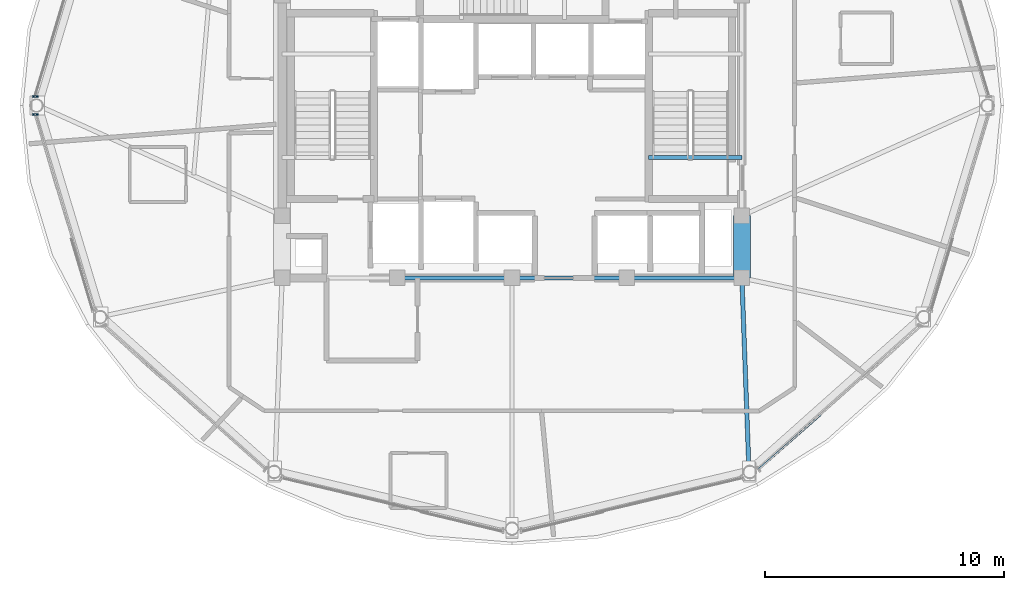
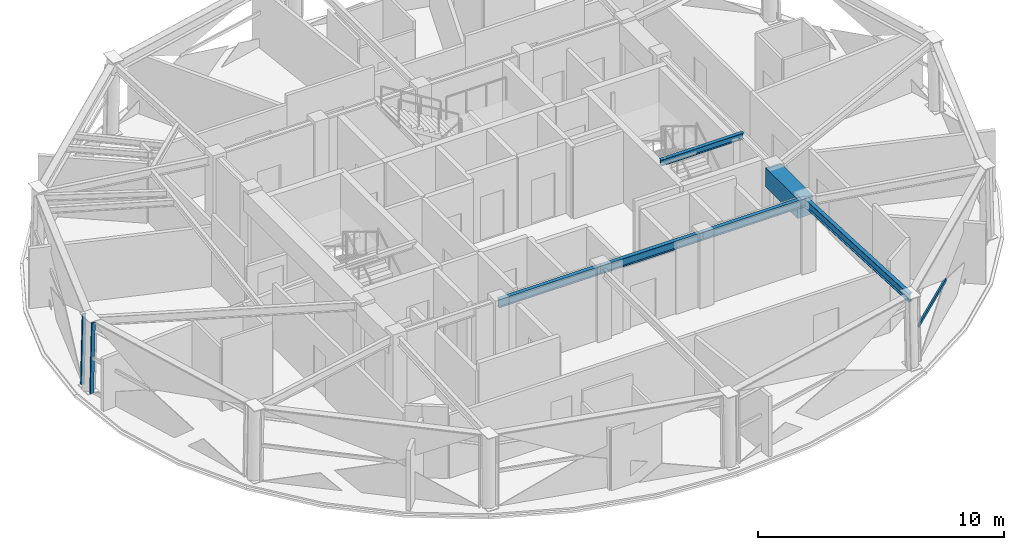
# One storey, part 3 of 15: 6 beams, 3 members, 3 elements without a shape of their own.
"""IFC4 building model written with IfcOpenShell, lengths in metres."""

from ifc_helpers import new_model, si_unit, direction, frame, origin, origin_2d, place, context, subcontext, project, spatial, rectangle, hollow_rectangle, i_section, extrude, material, layer, layer_set, material_profile, profile_set, type_object, element, aggregate, save


model = new_model("IFC4")

# Units and contexts
model_context = context("Model", 3, precision=1e-05, world=origin(), true_north=direction((0.0, 1.0)))
body_context = subcontext(model_context, "Body", "Model", "MODEL_VIEW")
ifc_project = project(units=[si_unit("LENGTHUNIT", "METRE"), si_unit("AREAUNIT", "SQUARE_METRE"), si_unit("VOLUMEUNIT", "CUBIC_METRE"), si_unit("PLANEANGLEUNIT", "RADIAN"), si_unit("MASSUNIT", "GRAM", prefix="KILO")], contexts=[model_context])

# Site, building, storey
site_placement = place(None, origin())
site = spatial("IfcSite", under=ifc_project, at=site_placement, CompositionType="ELEMENT")
building_placement = place(site_placement, origin())
building = spatial("IfcBuilding", under=site, at=building_placement, Name="Vantalir Tower", CompositionType="ELEMENT")
storey_placement = place(building_placement, frame((0.0, 0.0, 263.85009765625)))
storey = spatial("IfcBuildingStorey", under=building, at=storey_placement, Name="L66", CompositionType="ELEMENT", Elevation=263.85009765625)

# Beams
ifc_material_1 = material(Name="Concrete C60/75", Category="concrete")
ifc_material_profile_1 = material_profile(ifc_material_1, rectangle(XDim=0.699951171875, YDim=0.949951171875, at=origin_2d()), Name="Concrete C60/75")
ifc_profile_set_1 = profile_set([ifc_material_profile_1], Name="Concrete C60/75")
beam_type_1 = type_object("IfcBeamType", Name="BM-CB-700x950", PredefinedType="USERDEFINED", material=ifc_profile_set_1)
beam_1_placement = place(storey_placement, frame((41.10009765625, 17.800048828125, 3.094970703125), z_axis=(0.0, 1.0, 0.0), x_axis=(-1.0, 0.0, 0.0)))
element("IfcBeam", 1, at=beam_1_placement, inside=storey, type_object=beam_type_1, Name="L66 Core Coupling Girder 05", ObjectType="GIRDER", PredefinedType="USERDEFINED", context=body_context, shape_type="SweptSolid", body=[
    extrude(rectangle(XDim=0.699951171875, YDim=0.949951171875, at=origin_2d()), origin(), (0.0, 0.0, 1.0), 2.599853515625),
])
ifc_material_2 = material(Name="Steel S355", Category="steel")
ifc_material_profile_2 = material_profile(ifc_material_2, i_section(OverallWidth=0.166015625, OverallDepth=0.306884765625, WebThickness=0.006591796875, FlangeThickness=0.01171875, at=origin_2d()), Name="Steel S355")
ifc_profile_set_2 = profile_set([ifc_material_profile_2], Name="Steel S355")
beam_type_2 = type_object("IfcBeamType", Name="BM-JS-305x165", PredefinedType="JOIST", material=ifc_profile_set_2)
beam_2_placement = place(storey_placement, frame((37.2099609375, 22.8349609375, 3.595947265625), z_axis=(1.0, 0.0, 0.0), x_axis=(0.0, 1.0, 0.0)))
element("IfcBeam", 2, at=beam_2_placement, inside=storey, type_object=beam_type_2, Name="L67 Stair ST2 Well Nosing Trimmer Beam", PredefinedType="JOIST", context=body_context, shape_type="SweptSolid", body=[
    extrude(i_section(OverallWidth=0.166015625, OverallDepth=0.306884765625, WebThickness=0.006591796875, FlangeThickness=0.01171875, at=origin_2d()), origin(), (0.0, 0.0, 1.0), 3.89013671875),
])
ifc_material_profile_3 = material_profile(ifc_material_2, i_section(OverallWidth=0.179931640625, OverallDepth=0.4130859375, WebThickness=0.009521484375, FlangeThickness=0.01611328125, at=origin_2d()), Name="Steel S355")
ifc_profile_set_3 = profile_set([ifc_material_profile_3], Name="Steel S355")
beam_type_3 = type_object("IfcBeamType", Name="BM-RB-406x178", PredefinedType="BEAM", material=ifc_profile_set_3)
for number, where, z_axis, x_axis, name in (
    (3, (26.699951171875, 17.800048828125, 3.364013671875), (1.0, 0.0, 0.0), (0.0, 1.0, 0.0), "L66 Core Coupling Girder 02"),
    (4, (31.5, 17.800048828125, 3.364013671875), (1.0, 0.0, 0.0), (0.0, 1.0, 0.0), "L66 Core Coupling Girder 03"),
    (5, (36.300048828125, 17.800048828125, 3.364013671875), (1.0, 0.0, 0.0), (0.0, 1.0, 0.0), "L66 Core Coupling Girder 04"),
):
    element("IfcBeam", number, at=place(storey_placement, frame(where, z_axis=z_axis, x_axis=x_axis)), inside=storey, type_object=beam_type_3, Name=name, PredefinedType="BEAM", context=body_context, shape_type="SweptSolid", body=[
        extrude(i_section(OverallWidth=0.179931640625, OverallDepth=0.4130859375, WebThickness=0.009521484375, FlangeThickness=0.01611328125, at=origin_2d()), origin(), (0.0, 0.0, 1.0), 4.800048828125),
    ])
beam_3_placement = place(storey_placement, frame((41.39501953125, 9.748046875, 3.364013671875), z_axis=(-0.036602605117, 0.999329900132, 0.0), x_axis=(-0.999329900132, -0.036602605117, 0.0)))
element("IfcBeam", 6, at=beam_3_placement, inside=storey, type_object=beam_type_3, Name="L66 Radial Floor Beam 11", PredefinedType="BEAM", context=body_context, shape_type="SweptSolid", body=[
    extrude(i_section(OverallWidth=0.179931640625, OverallDepth=0.4130859375, WebThickness=0.009521484375, FlangeThickness=0.01611328125, at=origin_2d()), origin(), (0.0, 0.0, 1.0), 8.057373046875),
])

# Curtain wall, member
ifc_material_3 = material(Name="Champagne-silver PVDF aluminium and double-silver Low-E glass", Category="aluminium")
ifc_layer = layer(ifc_material_3, 0.219970703125)
ifc_layer_set = layer_set([ifc_layer], Name="Champagne-silver PVDF aluminium and double-silver Low-E glass")
curtain_wall_type = type_object("IfcCurtainWallType", Name="CW-DIAMOND-Z4", PredefinedType="USERDEFINED", material=ifc_layer_set)
curtain_wall_1_placement = place(storey_placement, origin())
curtain_wall_1 = element("IfcCurtainWall", 7, at=curtain_wall_1_placement, inside=storey, type_object=curtain_wall_type, Name="L66 Quilted Pyramid-Diamond Curtain Wall S06", ObjectType="UNITISED CURTAIN WALL", PredefinedType="USERDEFINED")
ifc_material_4 = material(Name="Champagne-silver PVDF aluminium 6063-T6", Category="aluminium")
ifc_material_profile_4 = material_profile(ifc_material_4, hollow_rectangle(XDim=0.070068359375, YDim=0.1650390625, WallThickness=0.00390625, at=origin_2d()), Name="Champagne-silver PVDF aluminium 6063-T6")
ifc_profile_set_4 = profile_set([ifc_material_profile_4], Name="Champagne-silver PVDF aluminium 6063-T6")
member_type_1 = type_object("IfcMemberType", Name="CWM-165x70", PredefinedType="MULLION", material=ifc_profile_set_4)
member_1_placement = place(storey_placement, frame((11.552001953125, 25.373046875, 0.044921875), z_axis=(0.023004994726, 0.0, 0.999735350089), x_axis=(0.0, 1.0, 0.0)))
member_1 = element("IfcMember", 8, at=member_1_placement, type_object=member_type_1, Name="CW-L66-S06 Mullion 2", PredefinedType="MULLION", context=body_context, shape_type="SweptSolid", body=[
    extrude(hollow_rectangle(XDim=0.070068359375, YDim=0.1650390625, WallThickness=0.00390625, at=origin_2d()), origin(), (0.0, 0.0, 1.0), 3.48095703125),
])
aggregate(curtain_wall_1, [member_1])

curtain_wall_2_placement = place(storey_placement, origin())
curtain_wall_2 = element("IfcCurtainWall", 9, at=curtain_wall_2_placement, inside=storey, type_object=curtain_wall_type, Name="L66 Quilted Pyramid-Diamond Curtain Wall S07", ObjectType="UNITISED CURTAIN WALL", PredefinedType="USERDEFINED")
member_2_placement = place(storey_placement, frame((11.552001953125, 24.626953125, 0.044921875), z_axis=(0.023004994726, 0.0, 0.999735350089), x_axis=(0.0, 1.0, 0.0)))
member_2 = element("IfcMember", 10, at=member_2_placement, type_object=member_type_1, Name="CW-L66-S07 Mullion 1", PredefinedType="MULLION", context=body_context, shape_type="SweptSolid", body=[
    extrude(hollow_rectangle(XDim=0.070068359375, YDim=0.1650390625, WallThickness=0.00390625, at=origin_2d()), origin(), (0.0, 0.0, 1.0), 3.48095703125),
])
aggregate(curtain_wall_2, [member_2])

curtain_wall_3_placement = place(storey_placement, origin())
curtain_wall_3 = element("IfcCurtainWall", 11, at=curtain_wall_3_placement, inside=storey, type_object=curtain_wall_type, Name="L66 Quilted Pyramid-Diamond Curtain Wall S11", ObjectType="UNITISED CURTAIN WALL", PredefinedType="USERDEFINED")
ifc_material_profile_5 = material_profile(ifc_material_4, hollow_rectangle(XDim=0.074951171875, YDim=0.159912109375, WallThickness=0.00390625, at=origin_2d()), Name="Champagne-silver PVDF aluminium 6063-T6")
ifc_profile_set_5 = profile_set([ifc_material_profile_5], Name="Champagne-silver PVDF aluminium 6063-T6")
member_type_2 = type_object("IfcMemberType", Name="CWT-160x75", PredefinedType="USERDEFINED", material=ifc_profile_set_5)
member_3_placement = place(storey_placement, frame((41.801025390625, 9.81201171875, 1.784912109375), z_axis=(0.751201212065, 0.660073283047, 0.0), x_axis=(-0.660073283047, 0.751201212065, 0.0)))
member_3 = element("IfcMember", 12, at=member_3_placement, type_object=member_type_2, Name="CW-L66-S11 Pyramid Fold Ridge Transom", ObjectType="TRANSOM", PredefinedType="USERDEFINED", context=body_context, shape_type="SweptSolid", body=[
    extrude(hollow_rectangle(XDim=0.074951171875, YDim=0.159912109375, WallThickness=0.00390625, at=origin_2d()), origin(), (0.0, 0.0, 1.0), 3.4345703125),
])
aggregate(curtain_wall_3, [member_3])

save(model, "model.ifc")
